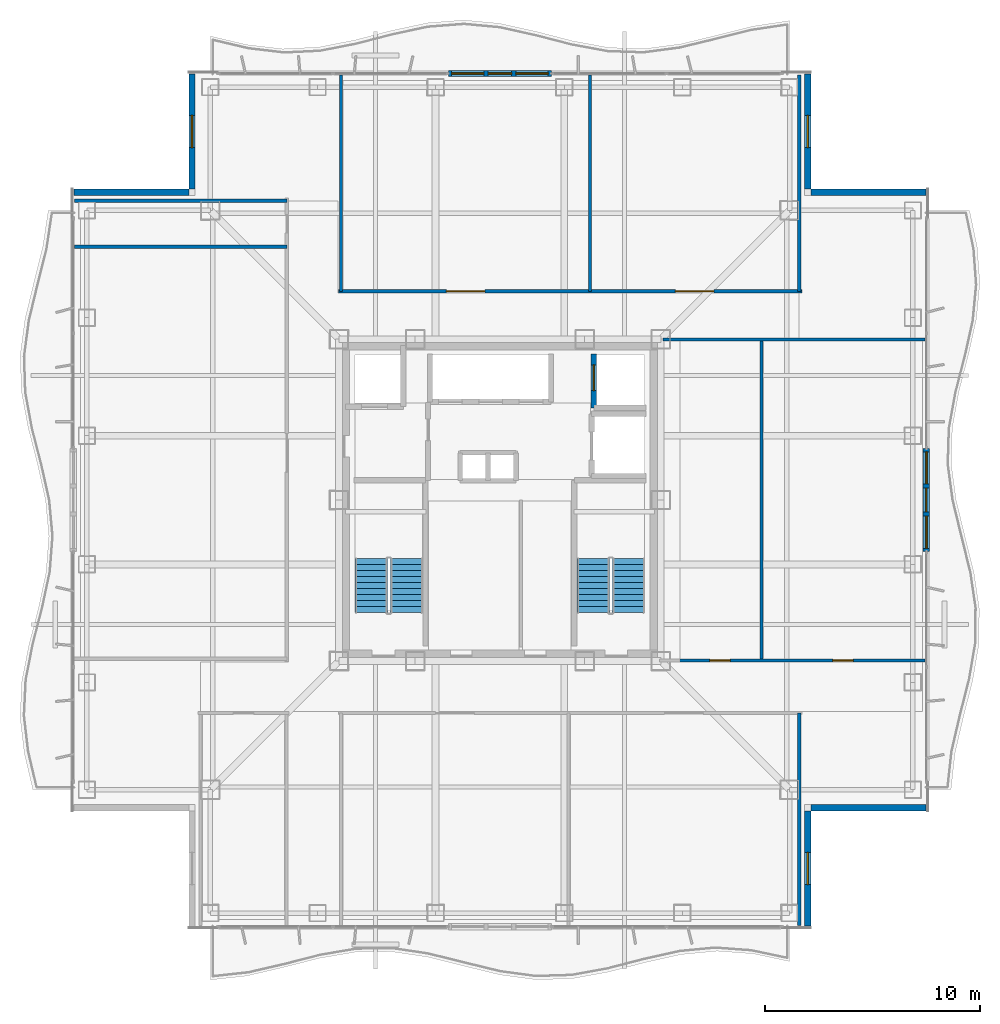
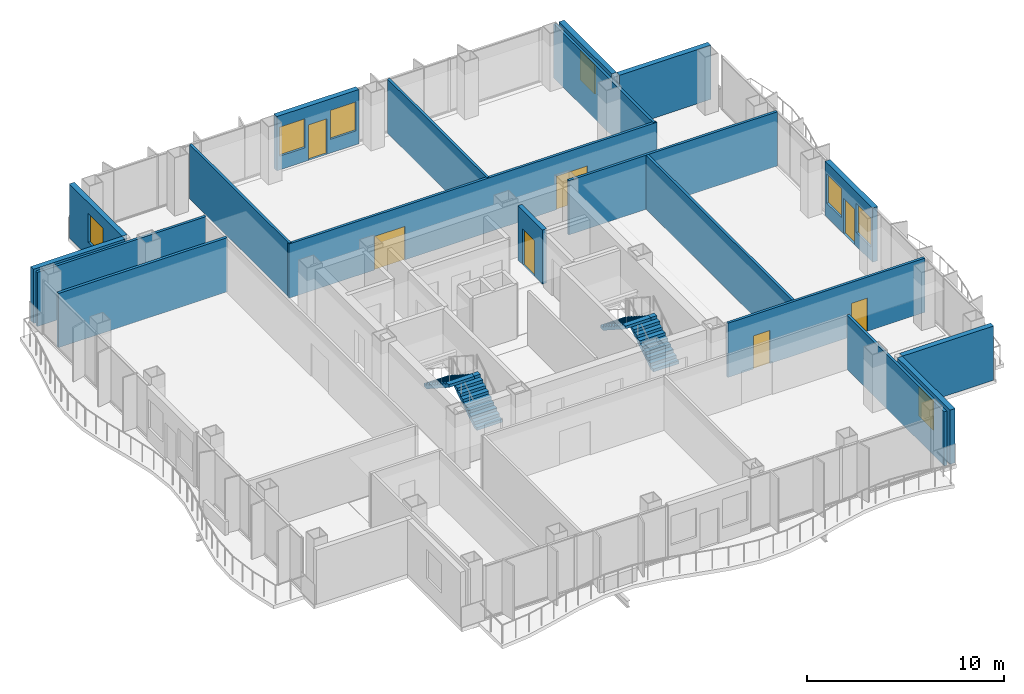
# One storey, part 12 of 16: 19 walls, 7 doors, 7 windows, 4 stair flights, 14 openings, 2 elements without a shape of their own.
"""IFC4 building model written with IfcOpenShell, lengths in metres."""

from ifc_helpers import new_model, si_unit, direction, frame, frame_2d, origin, place, context, subcontext, project, spatial, polyline, rectangle, outline, extrude, material, layer, layer_set, type_object, element, fill, aggregate, save


model = new_model("IFC4")

# Units and contexts
model_context = context("Model", 3, precision=1e-05, world=origin(), true_north=direction((0.0, 1.0)))
body_context = subcontext(model_context, "Body", "Model", "MODEL_VIEW")
ifc_project = project(units=[si_unit("LENGTHUNIT", "METRE"), si_unit("AREAUNIT", "SQUARE_METRE"), si_unit("VOLUMEUNIT", "CUBIC_METRE"), si_unit("PLANEANGLEUNIT", "RADIAN"), si_unit("MASSUNIT", "GRAM", prefix="KILO")], contexts=[model_context])

# Site, building, storey
site_placement = place(None, origin())
site = spatial("IfcSite", under=ifc_project, at=site_placement, CompositionType="ELEMENT")
building_placement = place(site_placement, origin())
building = spatial("IfcBuilding", under=site, at=building_placement, Name="Trevonay Congress Spire", CompositionType="ELEMENT")
storey_placement = place(building_placement, frame((0.0, 0.0, 195.0)))
storey = spatial("IfcBuildingStorey", under=building, at=storey_placement, Name="L50", CompositionType="ELEMENT", Elevation=195.0)

# Wall, openings, doors
ifc_material_1 = material(Name="Concrete C40/50", Category="concrete")
ifc_layer_1 = layer(ifc_material_1, 0.14990234375, Name="Concrete C40/50")
ifc_layer_set_1 = layer_set([ifc_layer_1], Name="Concrete C40/50")
wall_type_1 = type_object("IfcWallType", Name="WAL-CORR-150", PredefinedType="PARTITIONING", material=ifc_layer_set_1)
wall_1_placement = place(storey_placement, frame((-7.52001953125, 9.72998046875, 0.0), z_axis=(0.0, 0.0, 1.0), x_axis=(1.0, 0.0, 0.0)))
wall_1 = element("IfcWall", 1, at=wall_1_placement, inside=storey, type_object=wall_type_1, Name="L50 interior wall WP-L50N-COR", PredefinedType="PARTITIONING", context=body_context, shape_type="SweptSolid", body=[
    extrude(rectangle(XDim=21.590087890625, YDim=0.14990234375, at=frame_2d((10.794921875, 0.0))), origin(), (0.0, 0.0, 1.0), 3.360107421875),
])
opening_1_placement = place(wall_1_placement, frame((5.02001953125, 0.0, 0.0)))
opening_1 = element("IfcOpeningElement", 2, at=opening_1_placement, cuts=wall_1, Name="Opening D09", PredefinedType="OPENING", context=body_context, shape_type="SweptSolid", body=[
    extrude(rectangle(XDim=1.800048828125, YDim=2.080078125, at=frame_2d((0.89990234375, 1.0400390625))), frame((0.0, 0.0849609375, 0.0), z_axis=(0.0, -1.0, 0.0), x_axis=(1.0, 0.0, 0.0)), (0.0, 0.0, 1.0), 0.169921875),
])
opening_2_placement = place(wall_1_placement, frame((15.695068359375, 0.0, 0.0)))
opening_2 = element("IfcOpeningElement", 3, at=opening_2_placement, cuts=wall_1, Name="Opening D09", PredefinedType="OPENING", context=body_context, shape_type="SweptSolid", body=[
    extrude(rectangle(XDim=1.800048828125, YDim=2.080078125, at=frame_2d((0.89990234375, 1.0400390625))), frame((0.0, 0.0849609375, 0.0), z_axis=(0.0, -1.0, 0.0), x_axis=(1.0, 0.0, 0.0)), (0.0, 0.0, 1.0), 0.169921875),
])
ifc_material_2 = material(Name="Pale Anodised Aluminium EN AW-6063-T6", Category="aluminium")
door_type_1 = type_object("IfcDoorType", Name="DOR-CONF-DBL", OperationType="DOUBLE_DOOR_SINGLE_SWING", PredefinedType="DOOR", material=ifc_material_2)
door_1_placement = place(opening_1_placement, origin())
door_1 = element("IfcDoor", 4, at=door_1_placement, inside=storey, type_object=door_type_1, Name="L50 Champagne Aperitif Bar Door", OperationType="DOUBLE_DOOR_SINGLE_SWING", OverallHeight=2.080078125, OverallWidth=1.800048828125, PredefinedType="DOOR", context=body_context, shape_type="SweptSolid", body=[
    extrude(rectangle(XDim=1.800048828125, YDim=2.080078125, at=frame_2d((0.89990234375, 1.0400390625))), frame((0.0, 0.02490234375, 0.0), z_axis=(0.0, -1.0, 0.0), x_axis=(1.0, 0.0, 0.0)), (0.0, 0.0, 1.0), 0.050048828125),
])
fill(opening_1, door_1)
door_2_placement = place(opening_2_placement, origin())
door_2 = element("IfcDoor", 5, at=door_2_placement, inside=storey, type_object=door_type_1, Name="L50 Private Chef Table Dining Door", OperationType="DOUBLE_DOOR_SINGLE_SWING", OverallHeight=2.080078125, OverallWidth=1.800048828125, PredefinedType="DOOR", context=body_context, shape_type="SweptSolid", body=[
    extrude(rectangle(XDim=1.800048828125, YDim=2.080078125, at=frame_2d((0.89990234375, 1.0400390625))), frame((0.0, 0.02490234375, 0.0), z_axis=(0.0, -1.0, 0.0), x_axis=(1.0, 0.0, 0.0)), (0.0, 0.0, 1.0), 0.050048828125),
])
fill(opening_2, door_2)

wall_2_placement = place(storey_placement, frame((8.280029296875, -7.47998046875, 0.0), z_axis=(0.0, 0.0, 1.0), x_axis=(1.0, 0.0, 0.0)))
wall_2 = element("IfcWall", 6, at=wall_2_placement, inside=storey, type_object=wall_type_1, Name="L50 interior wall WP-L50E-COR", PredefinedType="PARTITIONING", context=body_context, shape_type="SweptSolid", body=[
    extrude(rectangle(XDim=11.5400390625, YDim=0.14990234375, at=frame_2d((5.77001953125, 0.0))), origin(), (0.0, 0.0, 1.0), 3.360107421875),
])
opening_3_placement = place(wall_2_placement, frame((1.5048828125, 0.0, 0.0)))
opening_3 = element("IfcOpeningElement", 7, at=opening_3_placement, cuts=wall_2, Name="Opening D07", PredefinedType="OPENING", context=body_context, shape_type="SweptSolid", body=[
    extrude(rectangle(XDim=0.949951171875, YDim=2.06005859375, at=frame_2d((0.47509765625, 1.030029296875))), frame((0.0, 0.0849609375, 0.0), z_axis=(0.0, -1.0, 0.0), x_axis=(1.0, 0.0, 0.0)), (0.0, 0.0, 1.0), 0.169921875),
])
opening_4_placement = place(wall_2_placement, frame((7.235107421875, 0.0, 0.0)))
opening_4 = element("IfcOpeningElement", 8, at=opening_4_placement, cuts=wall_2, Name="Opening D07", PredefinedType="OPENING", context=body_context, shape_type="SweptSolid", body=[
    extrude(rectangle(XDim=0.949951171875, YDim=2.06005859375, at=frame_2d((0.47509765625, 1.030029296875))), frame((0.0, 0.0849609375, 0.0), z_axis=(0.0, -1.0, 0.0), x_axis=(1.0, 0.0, 0.0)), (0.0, 0.0, 1.0), 0.169921875),
])
door_type_2 = type_object("IfcDoorType", Name="DOR-OFFICE-95", OperationType="NOTDEFINED", PredefinedType="DOOR", material=ifc_material_2)
door_3_placement = place(opening_3_placement, origin())
door_3 = element("IfcDoor", 9, at=door_3_placement, inside=storey, type_object=door_type_2, Name="L50 Executive Study Office Door", OperationType="SINGLE_SWING_RIGHT", OverallHeight=2.06005859375, OverallWidth=0.949951171875, PredefinedType="DOOR", context=body_context, shape_type="SweptSolid", body=[
    extrude(rectangle(XDim=0.949951171875, YDim=2.06005859375, at=frame_2d((0.47509765625, 1.030029296875))), frame((0.0, 0.02490234375, 0.0), z_axis=(0.0, -1.0, 0.0), x_axis=(1.0, 0.0, 0.0)), (0.0, 0.0, 1.0), 0.050048828125),
])
fill(opening_3, door_3)
door_4_placement = place(opening_4_placement, origin())
door_4 = element("IfcDoor", 10, at=door_4_placement, inside=storey, type_object=door_type_2, Name="L50 Catering Pantry Door", OperationType="SINGLE_SWING_LEFT", OverallHeight=2.06005859375, OverallWidth=0.949951171875, PredefinedType="DOOR", context=body_context, shape_type="SweptSolid", body=[
    extrude(rectangle(XDim=0.949951171875, YDim=2.06005859375, at=frame_2d((0.47509765625, 1.030029296875))), frame((0.0, 0.02490234375, 0.0), z_axis=(0.0, -1.0, 0.0), x_axis=(1.0, 0.0, 0.0)), (0.0, 0.0, 1.0), 0.050048828125),
])
fill(opening_4, door_4)

# Wall, openings, door, windows
ifc_material_3 = material(Name="Precast concrete C40/50", Category="concrete")
ifc_layer_2 = layer(ifc_material_3, 0.300048828125, Name="Precast concrete C40/50")
ifc_layer_set_2 = layer_set([ifc_layer_2], Name="Precast concrete C40/50")
wall_type_2 = type_object("IfcWallType", Name="WAL-EXT-PRECAST-300", PredefinedType="SOLIDWALL", material=ifc_layer_set_2)
wall_3_placement = place(storey_placement, frame((-2.39990234375, 19.8798828125, 0.0), z_axis=(0.0, 0.0, 1.0), x_axis=(1.0, 0.0, 0.0)))
wall_3 = element("IfcWall", 11, at=wall_3_placement, inside=storey, type_object=wall_type_2, Name="L50 N glazed balcony portal exterior wall", PredefinedType="SOLIDWALL", context=body_context, shape_type="SweptSolid", body=[
    extrude(rectangle(XDim=4.7998046875, YDim=0.300048828125, at=frame_2d((2.39990234375, 0.0))), origin(), (0.0, 0.0, 1.0), 3.360107421875),
])
opening_5_placement = place(wall_3_placement, frame((1.85009765625, 0.0, 0.0)))
opening_5 = element("IfcOpeningElement", 12, at=opening_5_placement, cuts=wall_3, Name="Opening D03", PredefinedType="OPENING", context=body_context, shape_type="SweptSolid", body=[
    extrude(rectangle(XDim=1.10009765625, YDim=2.199951171875, at=frame_2d((0.550048828125, 1.10009765625))), frame((0.0, 0.16015625, 0.0), z_axis=(0.0, -1.0, 0.0), x_axis=(1.0, 0.0, 0.0)), (0.0, 0.0, 1.0), 0.320068359375),
])
opening_6_placement = place(wall_3_placement, frame((0.14990234375, 0.0, 0.85009765625)))
opening_6 = element("IfcOpeningElement", 13, at=opening_6_placement, cuts=wall_3, Name="Opening WN03", PredefinedType="OPENING", context=body_context, shape_type="SweptSolid", body=[
    extrude(rectangle(XDim=1.5, YDim=1.800048828125, at=frame_2d((0.75, 0.89990234375))), frame((0.0, 0.16015625, 0.0), z_axis=(0.0, -1.0, 0.0), x_axis=(1.0, 0.0, 0.0)), (0.0, 0.0, 1.0), 0.320068359375),
])
opening_7_placement = place(wall_3_placement, frame((3.14990234375, 0.0, 0.85009765625)))
opening_7 = element("IfcOpeningElement", 14, at=opening_7_placement, cuts=wall_3, Name="Opening WN03", PredefinedType="OPENING", context=body_context, shape_type="SweptSolid", body=[
    extrude(rectangle(XDim=1.5, YDim=1.800048828125, at=frame_2d((0.75, 0.89990234375))), frame((0.0, 0.16015625, 0.0), z_axis=(0.0, -1.0, 0.0), x_axis=(1.0, 0.0, 0.0)), (0.0, 0.0, 1.0), 0.320068359375),
])
door_type_3 = type_object("IfcDoorType", Name="DOR-EXT-BAL-110", OperationType="NOTDEFINED", PredefinedType="DOOR", material=ifc_material_2)
door_5_placement = place(opening_5_placement, origin())
door_5 = element("IfcDoor", 15, at=door_5_placement, inside=storey, type_object=door_type_3, Name="L50 N glazed outdoor terrace and balcony door", OperationType="SINGLE_SWING_RIGHT", OverallHeight=2.199951171875, OverallWidth=1.10009765625, PredefinedType="DOOR", context=body_context, shape_type="SweptSolid", body=[
    extrude(rectangle(XDim=1.10009765625, YDim=2.199951171875, at=frame_2d((0.550048828125, 1.10009765625))), frame((0.0, 0.02490234375, 0.0), z_axis=(0.0, -1.0, 0.0), x_axis=(1.0, 0.0, 0.0)), (0.0, 0.0, 1.0), 0.050048828125),
])
fill(opening_5, door_5)
ifc_material_4 = material(Name="Insulated Low-E Vision Glass IGU", Category="glass")
window_type = type_object("IfcWindowType", Name="WIN-NOTCH-150X180", PartitioningType="SINGLE_PANEL", PredefinedType="WINDOW", material=ifc_material_4)
window_1_placement = place(opening_6_placement, origin())
window_1 = element("IfcWindow", 16, at=window_1_placement, inside=storey, type_object=window_type, Name="L50 N balcony sidelight window L", OverallHeight=1.800048828125, OverallWidth=1.5, PartitioningType="SINGLE_PANEL", PredefinedType="WINDOW", context=body_context, shape_type="SweptSolid", body=[
    extrude(rectangle(XDim=1.5, YDim=1.800048828125, at=frame_2d((0.75, 0.89990234375))), frame((0.0, 0.030029296875, 0.0), z_axis=(0.0, -1.0, 0.0), x_axis=(1.0, 0.0, 0.0)), (0.0, 0.0, 1.0), 0.06005859375),
])
fill(opening_6, window_1)
window_2_placement = place(opening_7_placement, origin())
window_2 = element("IfcWindow", 17, at=window_2_placement, inside=storey, type_object=window_type, Name="L50 N balcony sidelight window R", OverallHeight=1.800048828125, OverallWidth=1.5, PartitioningType="SINGLE_PANEL", PredefinedType="WINDOW", context=body_context, shape_type="SweptSolid", body=[
    extrude(rectangle(XDim=1.5, YDim=1.800048828125, at=frame_2d((0.75, 0.89990234375))), frame((0.0, 0.030029296875, 0.0), z_axis=(0.0, -1.0, 0.0), x_axis=(1.0, 0.0, 0.0)), (0.0, 0.0, 1.0), 0.06005859375),
])
fill(opening_7, window_2)

wall_4_placement = place(storey_placement, frame((19.8798828125, -2.39990234375, 0.0), z_axis=(0.0, 0.0, 1.0), x_axis=(0.0, 1.0, 0.0)))
wall_4 = element("IfcWall", 18, at=wall_4_placement, inside=storey, type_object=wall_type_2, Name="L50 E glazed balcony portal exterior wall", PredefinedType="SOLIDWALL", context=body_context, shape_type="SweptSolid", body=[
    extrude(rectangle(XDim=4.7998046875, YDim=0.300048828125, at=frame_2d((2.39990234375, 0.0))), origin(), (0.0, 0.0, 1.0), 3.360107421875),
])
opening_8_placement = place(wall_4_placement, frame((1.85009765625, 0.0, 0.0)))
opening_8 = element("IfcOpeningElement", 19, at=opening_8_placement, cuts=wall_4, Name="Opening D03", PredefinedType="OPENING", context=body_context, shape_type="SweptSolid", body=[
    extrude(rectangle(XDim=1.10009765625, YDim=2.199951171875, at=frame_2d((0.550048828125, 1.10009765625))), frame((0.0, 0.16015625, 0.0), z_axis=(0.0, -1.0, 0.0), x_axis=(1.0, 0.0, 0.0)), (0.0, 0.0, 1.0), 0.320068359375),
])
opening_9_placement = place(wall_4_placement, frame((0.14990234375, 0.0, 0.85009765625)))
opening_9 = element("IfcOpeningElement", 20, at=opening_9_placement, cuts=wall_4, Name="Opening WN03", PredefinedType="OPENING", context=body_context, shape_type="SweptSolid", body=[
    extrude(rectangle(XDim=1.5, YDim=1.800048828125, at=frame_2d((0.75, 0.89990234375))), frame((0.0, 0.16015625, 0.0), z_axis=(0.0, -1.0, 0.0), x_axis=(1.0, 0.0, 0.0)), (0.0, 0.0, 1.0), 0.320068359375),
])
opening_10_placement = place(wall_4_placement, frame((3.14990234375, 0.0, 0.85009765625)))
opening_10 = element("IfcOpeningElement", 21, at=opening_10_placement, cuts=wall_4, Name="Opening WN03", PredefinedType="OPENING", context=body_context, shape_type="SweptSolid", body=[
    extrude(rectangle(XDim=1.5, YDim=1.800048828125, at=frame_2d((0.75, 0.89990234375))), frame((0.0, 0.16015625, 0.0), z_axis=(0.0, -1.0, 0.0), x_axis=(1.0, 0.0, 0.0)), (0.0, 0.0, 1.0), 0.320068359375),
])
door_6_placement = place(opening_8_placement, origin())
door_6 = element("IfcDoor", 22, at=door_6_placement, inside=storey, type_object=door_type_3, Name="L50 E glazed outdoor terrace and balcony door", OperationType="SINGLE_SWING_RIGHT", OverallHeight=2.199951171875, OverallWidth=1.10009765625, PredefinedType="DOOR", context=body_context, shape_type="SweptSolid", body=[
    extrude(rectangle(XDim=1.10009765625, YDim=2.199951171875, at=frame_2d((0.550048828125, 1.10009765625))), frame((0.0, 0.02490234375, 0.0), z_axis=(0.0, -1.0, 0.0), x_axis=(1.0, 0.0, 0.0)), (0.0, 0.0, 1.0), 0.050048828125),
])
fill(opening_8, door_6)
window_3_placement = place(opening_9_placement, origin())
window_3 = element("IfcWindow", 23, at=window_3_placement, inside=storey, type_object=window_type, Name="L50 E balcony sidelight window L", OverallHeight=1.800048828125, OverallWidth=1.5, PartitioningType="SINGLE_PANEL", PredefinedType="WINDOW", context=body_context, shape_type="SweptSolid", body=[
    extrude(rectangle(XDim=1.5, YDim=1.800048828125, at=frame_2d((0.75, 0.89990234375))), frame((0.0, 0.030029296875, 0.0), z_axis=(0.0, -1.0, 0.0), x_axis=(1.0, 0.0, 0.0)), (0.0, 0.0, 1.0), 0.06005859375),
])
fill(opening_9, window_3)
window_4_placement = place(opening_10_placement, origin())
window_4 = element("IfcWindow", 24, at=window_4_placement, inside=storey, type_object=window_type, Name="L50 E balcony sidelight window R", OverallHeight=1.800048828125, OverallWidth=1.5, PartitioningType="SINGLE_PANEL", PredefinedType="WINDOW", context=body_context, shape_type="SweptSolid", body=[
    extrude(rectangle(XDim=1.5, YDim=1.800048828125, at=frame_2d((0.75, 0.89990234375))), frame((0.0, 0.030029296875, 0.0), z_axis=(0.0, -1.0, 0.0), x_axis=(1.0, 0.0, 0.0)), (0.0, 0.0, 1.0), 0.06005859375),
])
fill(opening_10, window_4)

# Wall, opening, window
wall_5_placement = place(storey_placement, frame((14.35009765625, -19.85009765625, 0.0), z_axis=(0.0, 0.0, 1.0), x_axis=(0.0, 1.0, 0.0)))
wall_5 = element("IfcWall", 25, at=wall_5_placement, inside=storey, type_object=wall_type_2, Name="L50 SE re-entrant notch exterior wall 1", PredefinedType="SOLIDWALL", context=body_context, shape_type="SweptSolid", body=[
    extrude(rectangle(XDim=5.35009765625, YDim=0.300048828125, at=frame_2d((2.675048828125, 0.0))), origin(), (0.0, 0.0, 1.0), 3.360107421875),
])
opening_11_placement = place(wall_5_placement, frame((1.925048828125, 0.0, 0.89990234375)))
opening_11 = element("IfcOpeningElement", 26, at=opening_11_placement, cuts=wall_5, Name="Opening WN03", PredefinedType="OPENING", context=body_context, shape_type="SweptSolid", body=[
    extrude(rectangle(XDim=1.5, YDim=1.800048828125, at=frame_2d((0.75, 0.89990234375))), frame((0.0, 0.16015625, 0.0), z_axis=(0.0, -1.0, 0.0), x_axis=(1.0, 0.0, 0.0)), (0.0, 0.0, 1.0), 0.320068359375),
])
window_5_placement = place(opening_11_placement, origin())
window_5 = element("IfcWindow", 27, at=window_5_placement, inside=storey, type_object=window_type, Name="L50 SE corner notch window", OverallHeight=1.800048828125, OverallWidth=1.5, PartitioningType="SINGLE_PANEL", PredefinedType="WINDOW", context=body_context, shape_type="SweptSolid", body=[
    extrude(rectangle(XDim=1.5, YDim=1.800048828125, at=frame_2d((0.75, 0.89990234375))), frame((0.0, 0.030029296875, 0.0), z_axis=(0.0, -1.0, 0.0), x_axis=(1.0, 0.0, 0.0)), (0.0, 0.0, 1.0), 0.06005859375),
])
fill(opening_11, window_5)

# Wall
wall_6_placement = place(storey_placement, frame((19.85009765625, -14.35009765625, 0.0), z_axis=(0.0, 0.0, 1.0), x_axis=(-1.0, 0.0, 0.0)))
element("IfcWall", 28, at=wall_6_placement, inside=storey, type_object=wall_type_2, Name="L50 SE re-entrant notch exterior wall 2", PredefinedType="SOLIDWALL", context=body_context, shape_type="SweptSolid", body=[
    extrude(rectangle(XDim=5.35009765625, YDim=0.300048828125, at=frame_2d((2.675048828125, 0.0))), origin(), (0.0, 0.0, 1.0), 3.360107421875),
])

# Wall, opening, window
wall_7_placement = place(storey_placement, frame((14.35009765625, 19.85009765625, 0.0), z_axis=(0.0, 0.0, 1.0), x_axis=(0.0, -1.0, 0.0)))
wall_7 = element("IfcWall", 29, at=wall_7_placement, inside=storey, type_object=wall_type_2, Name="L50 NE re-entrant notch exterior wall 1", PredefinedType="SOLIDWALL", context=body_context, shape_type="SweptSolid", body=[
    extrude(rectangle(XDim=5.35009765625, YDim=0.300048828125, at=frame_2d((2.675048828125, 0.0))), origin(), (0.0, 0.0, 1.0), 3.360107421875),
])
opening_12_placement = place(wall_7_placement, frame((1.925048828125, 0.0, 0.89990234375)))
opening_12 = element("IfcOpeningElement", 30, at=opening_12_placement, cuts=wall_7, Name="Opening WN03", PredefinedType="OPENING", context=body_context, shape_type="SweptSolid", body=[
    extrude(rectangle(XDim=1.5, YDim=1.800048828125, at=frame_2d((0.75, 0.89990234375))), frame((0.0, 0.16015625, 0.0), z_axis=(0.0, -1.0, 0.0), x_axis=(1.0, 0.0, 0.0)), (0.0, 0.0, 1.0), 0.320068359375),
])
window_6_placement = place(opening_12_placement, origin())
window_6 = element("IfcWindow", 31, at=window_6_placement, inside=storey, type_object=window_type, Name="L50 NE corner notch window", OverallHeight=1.800048828125, OverallWidth=1.5, PartitioningType="SINGLE_PANEL", PredefinedType="WINDOW", context=body_context, shape_type="SweptSolid", body=[
    extrude(rectangle(XDim=1.5, YDim=1.800048828125, at=frame_2d((0.75, 0.89990234375))), frame((0.0, 0.030029296875, 0.0), z_axis=(0.0, -1.0, 0.0), x_axis=(1.0, 0.0, 0.0)), (0.0, 0.0, 1.0), 0.06005859375),
])
fill(opening_12, window_6)

# Wall
wall_8_placement = place(storey_placement, frame((19.85009765625, 14.35009765625, 0.0), z_axis=(0.0, 0.0, 1.0), x_axis=(-1.0, 0.0, 0.0)))
element("IfcWall", 32, at=wall_8_placement, inside=storey, type_object=wall_type_2, Name="L50 NE re-entrant notch exterior wall 2", PredefinedType="SOLIDWALL", context=body_context, shape_type="SweptSolid", body=[
    extrude(rectangle(XDim=5.35009765625, YDim=0.300048828125, at=frame_2d((2.675048828125, 0.0))), origin(), (0.0, 0.0, 1.0), 3.360107421875),
])

# Wall, opening, window
wall_9_placement = place(storey_placement, frame((-14.35009765625, 19.85009765625, 0.0), z_axis=(0.0, 0.0, 1.0), x_axis=(0.0, -1.0, 0.0)))
wall_9 = element("IfcWall", 33, at=wall_9_placement, inside=storey, type_object=wall_type_2, Name="L50 NW re-entrant notch exterior wall 1", PredefinedType="SOLIDWALL", context=body_context, shape_type="SweptSolid", body=[
    extrude(rectangle(XDim=5.35009765625, YDim=0.300048828125, at=frame_2d((2.675048828125, 0.0))), origin(), (0.0, 0.0, 1.0), 3.360107421875),
])
opening_13_placement = place(wall_9_placement, frame((1.925048828125, 0.0, 0.89990234375)))
opening_13 = element("IfcOpeningElement", 34, at=opening_13_placement, cuts=wall_9, Name="Opening WN03", PredefinedType="OPENING", context=body_context, shape_type="SweptSolid", body=[
    extrude(rectangle(XDim=1.5, YDim=1.800048828125, at=frame_2d((0.75, 0.89990234375))), frame((0.0, 0.16015625, 0.0), z_axis=(0.0, -1.0, 0.0), x_axis=(1.0, 0.0, 0.0)), (0.0, 0.0, 1.0), 0.320068359375),
])
window_7_placement = place(opening_13_placement, origin())
window_7 = element("IfcWindow", 35, at=window_7_placement, inside=storey, type_object=window_type, Name="L50 NW corner notch window", OverallHeight=1.800048828125, OverallWidth=1.5, PartitioningType="SINGLE_PANEL", PredefinedType="WINDOW", context=body_context, shape_type="SweptSolid", body=[
    extrude(rectangle(XDim=1.5, YDim=1.800048828125, at=frame_2d((0.75, 0.89990234375))), frame((0.0, 0.030029296875, 0.0), z_axis=(0.0, -1.0, 0.0), x_axis=(1.0, 0.0, 0.0)), (0.0, 0.0, 1.0), 0.06005859375),
])
fill(opening_13, window_7)

# Walls
wall_10_placement = place(storey_placement, frame((-19.85009765625, 14.35009765625, 0.0), z_axis=(0.0, 0.0, 1.0), x_axis=(1.0, 0.0, 0.0)))
element("IfcWall", 36, at=wall_10_placement, inside=storey, type_object=wall_type_2, Name="L50 NW re-entrant notch exterior wall 2", PredefinedType="SOLIDWALL", context=body_context, shape_type="SweptSolid", body=[
    extrude(rectangle(XDim=5.35009765625, YDim=0.300048828125, at=frame_2d((2.675048828125, 0.0))), origin(), (0.0, 0.0, 1.0), 3.360107421875),
])
ifc_layer_3 = layer(ifc_material_1, 0.14990234375, Name="Concrete C40/50")
ifc_layer_set_3 = layer_set([ifc_layer_3], Name="Concrete C40/50")
wall_type_3 = type_object("IfcWallType", Name="WAL-PART-150", PredefinedType="PARTITIONING", material=ifc_layer_set_3)
for number, where, z_axis, x_axis, name in (
    (37, (13.949951171875, -19.820068359375, 0.0), (0.0, 0.0, 1.0), (0.0, 1.0, 0.0), "L50 interior wall WP-L50SE-DIV3"),
    (38, (-19.820068359375, 13.949951171875, 0.0), (0.0, 0.0, 1.0), (1.0, 0.0, 0.0), "L50 interior wall WP-L50NW-DIV3"),
):
    element("IfcWall", number, at=place(storey_placement, frame(where, z_axis=z_axis, x_axis=x_axis)), inside=storey, type_object=wall_type_3, Name=name, PredefinedType="PARTITIONING", context=body_context, shape_type="SweptSolid", body=[
        extrude(rectangle(XDim=9.89013671875, YDim=0.14990234375, at=frame_2d((4.945068359375, 0.0))), origin(), (0.0, 0.0, 1.0), 3.360107421875),
    ])
for number, where, z_axis, x_axis, name in (
    (39, (-7.39990234375, 9.72998046875, 0.0), (0.0, 0.0, 1.0), (0.0, 1.0, 0.0), "L50 interior wall WP-L50N-DIV1"),
    (40, (4.199951171875, 9.72998046875, 0.0), (0.0, 0.0, 1.0), (0.0, 1.0, 0.0), "L50 interior wall WP-L50N-DIV2"),
    (41, (13.949951171875, 9.72998046875, 0.0), (0.0, 0.0, 1.0), (0.0, 1.0, 0.0), "L50 interior wall WP-L50N-DIV3"),
):
    element("IfcWall", number, at=place(storey_placement, frame(where, z_axis=z_axis, x_axis=x_axis)), inside=storey, type_object=wall_type_3, Name=name, PredefinedType="PARTITIONING", context=body_context, shape_type="SweptSolid", body=[
        extrude(rectangle(XDim=10.090087890625, YDim=0.14990234375, at=frame_2d((5.044921875, 0.0))), origin(), (0.0, 0.0, 1.0), 3.360107421875),
    ])
wall_11_placement = place(storey_placement, frame((12.199951171875, -7.47998046875, 0.0), z_axis=(0.0, 0.0, 1.0), x_axis=(0.0, 1.0, 0.0)))
element("IfcWall", 42, at=wall_11_placement, inside=storey, type_object=wall_type_3, Name="L50 interior wall WP-L50E-DIV1", PredefinedType="PARTITIONING", context=body_context, shape_type="SweptSolid", body=[
    extrude(rectangle(XDim=14.89990234375, YDim=0.14990234375, at=frame_2d((7.449951171875, 0.0))), origin(), (0.0, 0.0, 1.0), 3.360107421875),
])
wall_12_placement = place(storey_placement, frame((7.60009765625, 7.47998046875, 0.0), z_axis=(0.0, 0.0, 1.0), x_axis=(1.0, 0.0, 0.0)))
element("IfcWall", 43, at=wall_12_placement, inside=storey, type_object=wall_type_3, Name="L50 interior wall WP-L50E-NCLS", PredefinedType="PARTITIONING", context=body_context, shape_type="SweptSolid", body=[
    extrude(rectangle(XDim=12.219970703125, YDim=0.14990234375, at=frame_2d((6.10986328125, 0.0))), origin(), (0.0, 0.0, 1.0), 3.360107421875),
])

# Wall, opening, door
ifc_layer_4 = layer(ifc_material_1, 0.25, Name="Concrete C40/50")
ifc_layer_set_4 = layer_set([ifc_layer_4], Name="Concrete C40/50")
wall_type_4 = type_object("IfcWallType", Name="WAL-SHAFT-250", PredefinedType="SHEAR", material=ifc_layer_set_4)
wall_13_placement = place(storey_placement, frame((4.3798828125, 4.300048828125, 0.0), z_axis=(0.0, 0.0, 1.0), x_axis=(0.0, 1.0, 0.0)))
wall_13 = element("IfcWall", 44, at=wall_13_placement, inside=storey, type_object=wall_type_4, Name="L50 interior shaft wall WSH-L50-FF2-W", PredefinedType="SHEAR", context=body_context, shape_type="SweptSolid", body=[
    extrude(rectangle(XDim=2.5, YDim=0.25, at=frame_2d((1.25, 0.0))), origin(), (0.0, 0.0, 1.0), 3.360107421875),
])
opening_14_placement = place(wall_13_placement, frame((0.800048828125, 0.0, 0.0)))
opening_14 = element("IfcOpeningElement", 45, at=opening_14_placement, cuts=wall_13, Name="Opening LD04", PredefinedType="OPENING", context=body_context, shape_type="SweptSolid", body=[
    extrude(rectangle(XDim=1.199951171875, YDim=2.199951171875, at=frame_2d((0.60009765625, 1.10009765625))), frame((0.0, 0.135009765625, 0.0), z_axis=(0.0, -1.0, 0.0), x_axis=(1.0, 0.0, 0.0)), (0.0, 0.0, 1.0), 0.27001953125),
])
ifc_material_5 = material(Name="Steel ASTM A572 Grade 50", Category="steel")
door_type_4 = type_object("IfcDoorType", Name="DOR-LIFT-LD04", OperationType="DOUBLE_DOOR_SLIDING", PredefinedType="DOOR", material=ifc_material_5)
door_7_placement = place(opening_14_placement, origin())
door_7 = element("IfcDoor", 46, at=door_7_placement, inside=storey, type_object=door_type_4, Name="L50 Firefighting lift FFL-02 landing door", OperationType="DOUBLE_DOOR_SLIDING", OverallHeight=2.199951171875, OverallWidth=1.199951171875, PredefinedType="DOOR", context=body_context, shape_type="SweptSolid", body=[
    extrude(rectangle(XDim=1.199951171875, YDim=2.199951171875, at=frame_2d((0.60009765625, 1.10009765625))), frame((0.0, 0.02490234375, 0.0), z_axis=(0.0, -1.0, 0.0), x_axis=(1.0, 0.0, 0.0)), (0.0, 0.0, 1.0), 0.050048828125),
])
fill(opening_14, door_7)

# Wall
ifc_layer_5 = layer(ifc_material_1, 0.1650390625, Name="Concrete C40/50")
ifc_layer_set_5 = layer_set([ifc_layer_5], Name="Concrete C40/50")
wall_type_5 = type_object("IfcWallType", Name="WAL-WET-165", PredefinedType="PLUMBINGWALL", material=ifc_layer_set_5)
wall_14_placement = place(storey_placement, frame((-19.820068359375, 11.800048828125, 0.0), z_axis=(0.0, 0.0, 1.0), x_axis=(1.0, 0.0, 0.0)))
element("IfcWall", 47, at=wall_14_placement, inside=storey, type_object=wall_type_5, Name="L50 interior wall WP-L50NW-DIV2", PredefinedType="PLUMBINGWALL", context=body_context, shape_type="SweptSolid", body=[
    extrude(rectangle(XDim=9.89013671875, YDim=0.1650390625, at=frame_2d((4.945068359375, 0.0))), origin(), (0.0, 0.0, 1.0), 3.360107421875),
])

# Stair, stair flights
stair_type_1 = type_object("IfcStairType", Name="STR-ST-1", PredefinedType="HALF_TURN_STAIR", material=ifc_material_1)
stair_1_placement = place(storey_placement, origin())
stair_1 = element("IfcStair", 48, at=stair_1_placement, inside=storey, type_object=stair_type_1, Name="L50 Protected Exit Stair ST-1", PredefinedType="HALF_TURN_STAIR")
stair_flight_type_1 = type_object("IfcStairFlightType", Name="SFL-ST-1", PredefinedType="STRAIGHT", material=ifc_material_1)
stair_flight_1_placement = place(storey_placement, frame((-4.35009765625, -5.25, 0.0), z_axis=(0.0, 0.0, 1.0), x_axis=(0.0, 1.0, 0.0)))
stair_flight_1 = element("IfcStairFlight", 49, at=stair_flight_1_placement, type_object=stair_flight_type_1, Name="ST-1 flight 1", NumberOfRisers=10, NumberOfTreads=9, PredefinedType="STRAIGHT", RiserHeight=0.18, TreadLength=0.28, context=body_context, shape_type="SweptSolid", body=[
    extrude(outline(polyline([(0.0, 0.0), (0.0, 0.179931640625), (0.280029296875, 0.179931640625), (0.280029296875, 0.360107421875), (0.56005859375, 0.360107421875), (0.56005859375, 0.5400390625), (0.840087890625, 0.5400390625), (0.840087890625, 0.719970703125), (1.1201171875, 0.719970703125), (1.1201171875, 0.89990234375), (1.39990234375, 0.89990234375), (1.39990234375, 1.080078125), (1.679931640625, 1.080078125), (1.679931640625, 1.260009765625), (1.9599609375, 1.260009765625), (1.9599609375, 1.43994140625), (2.239990234375, 1.43994140625), (2.239990234375, 1.6201171875), (2.52001953125, 1.6201171875), (2.52001953125, 1.800048828125), (2.52001953125, 1.44189453125), (0.277099609375, 0.0), (0.0, 0.0)])), frame((0.0, 0.75, 0.0), z_axis=(0.0, -1.0, 0.0), x_axis=(1.0, 0.0, 0.0)), (0.0, 0.0, 1.0), 1.5),
])
stair_flight_2_placement = place(storey_placement, frame((-6.0, -2.72998046875, 1.800048828125), z_axis=(0.0, 0.0, 1.0), x_axis=(0.0, -1.0, 0.0)))
stair_flight_2 = element("IfcStairFlight", 50, at=stair_flight_2_placement, type_object=stair_flight_type_1, Name="ST-1 flight 2", NumberOfRisers=10, NumberOfTreads=9, PredefinedType="STRAIGHT", RiserHeight=0.18, TreadLength=0.28, context=body_context, shape_type="SweptSolid", body=[
    extrude(outline(polyline([(0.0, 0.0), (0.0, 0.179931640625), (0.280029296875, 0.179931640625), (0.280029296875, 0.360107421875), (0.56005859375, 0.360107421875), (0.56005859375, 0.5400390625), (0.840087890625, 0.5400390625), (0.840087890625, 0.719970703125), (1.1201171875, 0.719970703125), (1.1201171875, 0.89990234375), (1.39990234375, 0.89990234375), (1.39990234375, 1.080078125), (1.679931640625, 1.080078125), (1.679931640625, 1.260009765625), (1.9599609375, 1.260009765625), (1.9599609375, 1.43994140625), (2.239990234375, 1.43994140625), (2.239990234375, 1.6201171875), (2.52001953125, 1.6201171875), (2.52001953125, 1.800048828125), (2.52001953125, 1.44189453125), (0.277099609375, 0.0), (0.0, 0.0)])), frame((0.0, 0.75, 0.0), z_axis=(0.0, -1.0, 0.0), x_axis=(1.0, 0.0, 0.0)), (0.0, 0.0, 1.0), 1.5),
])
aggregate(stair_1, [stair_flight_1, stair_flight_2])

stair_type_2 = type_object("IfcStairType", Name="STR-ST-2", PredefinedType="HALF_TURN_STAIR", material=ifc_material_1)
stair_2_placement = place(storey_placement, origin())
stair_2 = element("IfcStair", 51, at=stair_2_placement, inside=storey, type_object=stair_type_2, Name="L50 Protected Exit Stair ST-2", PredefinedType="HALF_TURN_STAIR")
stair_flight_type_2 = type_object("IfcStairFlightType", Name="SFL-ST-2", PredefinedType="STRAIGHT", material=ifc_material_1)
stair_flight_3_placement = place(storey_placement, frame((6.0, -5.25, 0.0), z_axis=(0.0, 0.0, 1.0), x_axis=(0.0, 1.0, 0.0)))
stair_flight_3 = element("IfcStairFlight", 52, at=stair_flight_3_placement, type_object=stair_flight_type_2, Name="ST-2 flight 1", NumberOfRisers=10, NumberOfTreads=9, PredefinedType="STRAIGHT", RiserHeight=0.18, TreadLength=0.28, context=body_context, shape_type="SweptSolid", body=[
    extrude(outline(polyline([(0.0, 0.0), (0.0, 0.179931640625), (0.280029296875, 0.179931640625), (0.280029296875, 0.360107421875), (0.56005859375, 0.360107421875), (0.56005859375, 0.5400390625), (0.840087890625, 0.5400390625), (0.840087890625, 0.719970703125), (1.1201171875, 0.719970703125), (1.1201171875, 0.89990234375), (1.39990234375, 0.89990234375), (1.39990234375, 1.080078125), (1.679931640625, 1.080078125), (1.679931640625, 1.260009765625), (1.9599609375, 1.260009765625), (1.9599609375, 1.43994140625), (2.239990234375, 1.43994140625), (2.239990234375, 1.6201171875), (2.52001953125, 1.6201171875), (2.52001953125, 1.800048828125), (2.52001953125, 1.44189453125), (0.277099609375, 0.0), (0.0, 0.0)])), frame((0.0, 0.75, 0.0), z_axis=(0.0, -1.0, 0.0), x_axis=(1.0, 0.0, 0.0)), (0.0, 0.0, 1.0), 1.5),
])
stair_flight_4_placement = place(storey_placement, frame((4.35009765625, -2.72998046875, 1.800048828125), z_axis=(0.0, 0.0, 1.0), x_axis=(0.0, -1.0, 0.0)))
stair_flight_4 = element("IfcStairFlight", 53, at=stair_flight_4_placement, type_object=stair_flight_type_2, Name="ST-2 flight 2", NumberOfRisers=10, NumberOfTreads=9, PredefinedType="STRAIGHT", RiserHeight=0.18, TreadLength=0.28, context=body_context, shape_type="SweptSolid", body=[
    extrude(outline(polyline([(0.0, 0.0), (0.0, 0.179931640625), (0.280029296875, 0.179931640625), (0.280029296875, 0.360107421875), (0.56005859375, 0.360107421875), (0.56005859375, 0.5400390625), (0.840087890625, 0.5400390625), (0.840087890625, 0.719970703125), (1.1201171875, 0.719970703125), (1.1201171875, 0.89990234375), (1.39990234375, 0.89990234375), (1.39990234375, 1.080078125), (1.679931640625, 1.080078125), (1.679931640625, 1.260009765625), (1.9599609375, 1.260009765625), (1.9599609375, 1.43994140625), (2.239990234375, 1.43994140625), (2.239990234375, 1.6201171875), (2.52001953125, 1.6201171875), (2.52001953125, 1.800048828125), (2.52001953125, 1.44189453125), (0.277099609375, 0.0), (0.0, 0.0)])), frame((0.0, 0.75, 0.0), z_axis=(0.0, -1.0, 0.0), x_axis=(1.0, 0.0, 0.0)), (0.0, 0.0, 1.0), 1.5),
])
aggregate(stair_2, [stair_flight_3, stair_flight_4])

save(model, "model.ifc")
